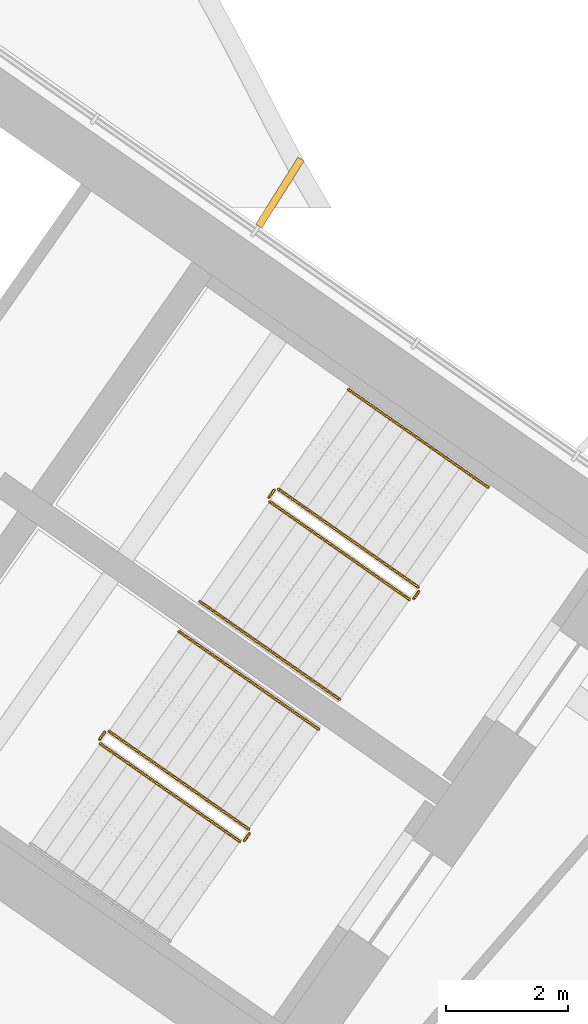
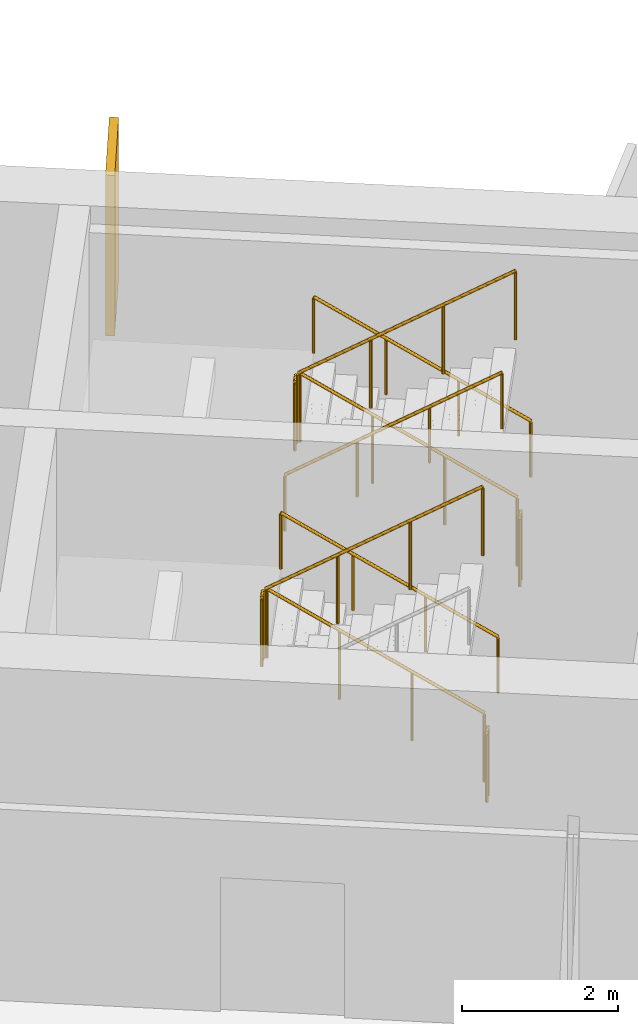
# One storey, part 22 of 23: 11 railings, 1 shading device.
"""IFC4 building model written with IfcOpenShell, lengths in metres."""

from ifc_helpers import new_model, si_unit, direction, frame, origin, origin_2d, place, context, subcontext, project, spatial, rectangle, circle, extrude, material, layer, layer_set, type_object, element, save


model = new_model("IFC4")

# Units and contexts
model_context = context("Model", 3, precision=1e-05, world=origin(), true_north=direction((0.0, 1.0)))
body_context = subcontext(model_context, "Body", "Model", "MODEL_VIEW")
ifc_project = project(units=[si_unit("LENGTHUNIT", "METRE"), si_unit("AREAUNIT", "SQUARE_METRE"), si_unit("VOLUMEUNIT", "CUBIC_METRE"), si_unit("PLANEANGLEUNIT", "RADIAN"), si_unit("MASSUNIT", "GRAM", prefix="KILO")], contexts=[model_context])

# Site, building, storey
site_placement = place(None, origin())
site = spatial("IfcSite", under=ifc_project, at=site_placement, CompositionType="ELEMENT")
building_placement = place(site_placement, origin())
building = spatial("IfcBuilding", under=site, at=building_placement, Name="Tel Ilan Convention Tower", CompositionType="ELEMENT")
storey_placement = place(building_placement, frame((0.0, 0.0, 171.0)))
storey = spatial("IfcBuildingStorey", under=building, at=storey_placement, Name="L39", CompositionType="ELEMENT", Elevation=171.0)

# Shading device
ifc_material_1 = material(Name="Aluminium, bronze anodised", Category="aluminium")
ifc_layer = layer(ifc_material_1, 0.1201171875)
ifc_layer_set = layer_set([ifc_layer], Name="FIN BRONZE 1300x120")
shading_device_type = type_object("IfcShadingDeviceType", Name="FIN BRONZE 1300x120", PredefinedType="USERDEFINED", material=ifc_layer_set)
shading_device_placement = place(storey_placement, frame((21.408935546875, -1.376953125, 1.10009765625), z_axis=(0.0, 0.0, 1.0), x_axis=(0.533204432798, 0.845986425922, 0.0)))
element("IfcShadingDevice", 1, at=shading_device_placement, inside=storey, type_object=shading_device_type, Name="FIN", ObjectType="FIN", PredefinedType="USERDEFINED", context=body_context, shape_type="SweptSolid", body=[
    extrude(rectangle(XDim=1.300048828125, YDim=0.1201171875, at=origin_2d()), origin(), (0.0, 0.0, 1.0), 2.52001953125),
])

# Railings
ifc_material_2 = material(Name="Stainless Steel Grade 316", Category="steel")
railing_type_1 = type_object("IfcRailingType", Name="Stainless Steel Stair Guard 1100 mm", PredefinedType="GUARDRAIL", material=ifc_material_2)
railing_1_placement = place(storey_placement, frame((23.6787109375, -7.8515625, 0.17724609375)))
element("IfcRailing", 2, at=railing_1_placement, inside=storey, type_object=railing_type_1, Name="L39 S3 stair guard 1", PredefinedType="GUARDRAIL", context=body_context, shape_type="SweptSolid", body=[
    extrude(circle(Radius=0.02392578125, at=origin_2d()), frame((0.0, 0.0, 1.076171875), z_axis=(-0.692084706163, 0.484621375041, 0.534940073605), x_axis=(-0.573591086599, -0.819141785879, 0.0)), (0.0, 0.0, 1.0), 3.313720703125),
    extrude(circle(Radius=0.02099609375, at=origin_2d()), origin(), (0.0, 0.0, 1.0), 1.052001953125),
    extrude(circle(Radius=0.02099609375, at=origin_2d()), frame((-0.764404296875, 0.535400390625, 0.5908203125)), (0.0, 0.0, 1.0), 1.052001953125),
    extrude(circle(Radius=0.02099609375, at=origin_2d()), frame((-1.529052734375, 1.070556640625, 1.181884765625)), (0.0, 0.0, 1.0), 1.052001953125),
    extrude(circle(Radius=0.02099609375, at=origin_2d()), frame((-2.29345703125, 1.60595703125, 1.772705078125)), (0.0, 0.0, 1.0), 1.052001953125),
])
railing_2_placement = place(storey_placement, frame((21.3154296875, -6.2578125, 1.949951171875)))
element("IfcRailing", 3, at=railing_2_placement, inside=storey, type_object=railing_type_1, Name="L39 S3 stair guard 2", PredefinedType="GUARDRAIL", context=body_context, shape_type="SweptSolid", body=[
    extrude(circle(Radius=0.02392578125, at=origin_2d()), frame((0.0, 0.0, 1.076171875), z_axis=(-0.573353020881, -0.819308436089, 0.0), x_axis=(0.819308436089, -0.573353020881, 0.0)), (0.0, 0.0, 1.0), 0.14990234375),
    extrude(circle(Radius=0.02099609375, at=origin_2d()), origin(), (0.0, 0.0, 1.0), 1.052001953125),
    extrude(circle(Radius=0.02099609375, at=origin_2d()), frame((-0.0859375, -0.122802734375, 0.0)), (0.0, 0.0, 1.0), 1.052001953125),
])
railing_3_placement = place(storey_placement, frame((21.24169921875, -6.4501953125, 2.127197265625)))
element("IfcRailing", 4, at=railing_3_placement, inside=storey, type_object=railing_type_1, Name="L39 S3 stair guard 3", PredefinedType="GUARDRAIL", context=body_context, shape_type="SweptSolid", body=[
    extrude(circle(Radius=0.02392578125, at=origin_2d()), frame((0.0, 0.0, 1.076171875), z_axis=(0.692098378994, -0.484653031975, 0.534893701956), x_axis=(0.573608623498, 0.819129505664, 0.0)), (0.0, 0.0, 1.0), 3.314208984375),
    extrude(circle(Radius=0.02099609375, at=origin_2d()), origin(), (0.0, 0.0, 1.0), 1.052001953125),
    extrude(circle(Radius=0.02099609375, at=origin_2d()), frame((0.7646484375, -0.535400390625, 0.5908203125)), (0.0, 0.0, 1.0), 1.052001953125),
    extrude(circle(Radius=0.02099609375, at=origin_2d()), frame((1.529052734375, -1.07080078125, 1.181884765625)), (0.0, 0.0, 1.0), 1.052001953125),
    extrude(circle(Radius=0.02099609375, at=origin_2d()), frame((2.293701171875, -1.606201171875, 1.772705078125)), (0.0, 0.0, 1.0), 1.052001953125),
])
railing_4_placement = place(storey_placement, frame((23.691162109375, -7.921142578125, 0.0)))
element("IfcRailing", 5, at=railing_4_placement, inside=storey, type_object=railing_type_1, Name="L39 S3 stair guard 4", PredefinedType="GUARDRAIL", context=body_context, shape_type="SweptSolid", body=[
    extrude(circle(Radius=0.02392578125, at=origin_2d()), frame((0.0, 0.0, 1.076171875), z_axis=(-0.574444878118, -0.818543268254, 0.0), x_axis=(0.818543268254, -0.574444878118, 0.0)), (0.0, 0.0, 1.0), 0.150146484375),
    extrude(circle(Radius=0.02099609375, at=origin_2d()), origin(), (0.0, 0.0, 1.0), 1.052001953125),
    extrude(circle(Radius=0.02099609375, at=origin_2d()), frame((-0.086181640625, -0.122802734375, 0.0)), (0.0, 0.0, 1.0), 1.052001953125),
])
railing_5_placement = place(storey_placement, frame((20.89697265625, -11.824462890625, 0.17724609375)))
element("IfcRailing", 6, at=railing_5_placement, inside=storey, type_object=railing_type_1, Name="L39 S4 stair guard 1", PredefinedType="GUARDRAIL", context=body_context, shape_type="SweptSolid", body=[
    extrude(circle(Radius=0.02392578125, at=origin_2d()), frame((0.0, 0.0, 1.076171875), z_axis=(-0.692123088272, 0.484596665743, 0.534912798717), x_axis=(-0.573550118428, -0.819170471667, 0.0)), (0.0, 0.0, 1.0), 3.31396484375),
    extrude(circle(Radius=0.02099609375, at=origin_2d()), origin(), (0.0, 0.0, 1.0), 1.052001953125),
    extrude(circle(Radius=0.02099609375, at=origin_2d()), frame((-0.7646484375, 0.535400390625, 0.5908203125)), (0.0, 0.0, 1.0), 1.052001953125),
    extrude(circle(Radius=0.02099609375, at=origin_2d()), frame((-1.529052734375, 1.070556640625, 1.181884765625)), (0.0, 0.0, 1.0), 1.052001953125),
    extrude(circle(Radius=0.02099609375, at=origin_2d()), frame((-2.293701171875, 1.60595703125, 1.772705078125)), (0.0, 0.0, 1.0), 1.052001953125),
])
railing_6_placement = place(storey_placement, frame((18.53369140625, -10.230712890625, 1.949951171875)))
element("IfcRailing", 7, at=railing_6_placement, inside=storey, type_object=railing_type_1, Name="L39 S4 stair guard 2", PredefinedType="GUARDRAIL", context=body_context, shape_type="SweptSolid", body=[
    extrude(circle(Radius=0.02392578125, at=origin_2d()), frame((0.0, 0.0, 1.076171875), z_axis=(-0.573353020881, -0.819308436089, 0.0), x_axis=(0.819308436089, -0.573353020881, 0.0)), (0.0, 0.0, 1.0), 0.14990234375),
    extrude(circle(Radius=0.02099609375, at=origin_2d()), origin(), (0.0, 0.0, 1.0), 1.052001953125),
    extrude(circle(Radius=0.02099609375, at=origin_2d()), frame((-0.0859375, -0.122802734375, 0.0)), (0.0, 0.0, 1.0), 1.052001953125),
])
railing_7_placement = place(storey_placement, frame((18.4599609375, -10.423095703125, 2.127197265625)))
element("IfcRailing", 8, at=railing_7_placement, inside=storey, type_object=railing_type_1, Name="L39 S4 stair guard 3", PredefinedType="GUARDRAIL", context=body_context, shape_type="SweptSolid", body=[
    extrude(circle(Radius=0.02392578125, at=origin_2d()), frame((0.0, 0.0, 1.076171875), z_axis=(0.692098378994, -0.484653031975, 0.534893701956), x_axis=(0.573608623498, 0.819129505664, 0.0)), (0.0, 0.0, 1.0), 3.314208984375),
    extrude(circle(Radius=0.02099609375, at=origin_2d()), origin(), (0.0, 0.0, 1.0), 1.052001953125),
    extrude(circle(Radius=0.02099609375, at=origin_2d()), frame((0.7646484375, -0.535400390625, 0.5908203125)), (0.0, 0.0, 1.0), 1.052001953125),
    extrude(circle(Radius=0.02099609375, at=origin_2d()), frame((1.529052734375, -1.07080078125, 1.181884765625)), (0.0, 0.0, 1.0), 1.052001953125),
    extrude(circle(Radius=0.02099609375, at=origin_2d()), frame((2.293701171875, -1.606201171875, 1.772705078125)), (0.0, 0.0, 1.0), 1.052001953125),
])
railing_8_placement = place(storey_placement, frame((20.9091796875, -11.89404296875, 0.0)))
element("IfcRailing", 9, at=railing_8_placement, inside=storey, type_object=railing_type_1, Name="L39 S4 stair guard 4", PredefinedType="GUARDRAIL", context=body_context, shape_type="SweptSolid", body=[
    extrude(circle(Radius=0.02392578125, at=origin_2d()), frame((0.0, 0.0, 1.076171875), z_axis=(-0.573353020881, -0.819308436089, 0.0), x_axis=(0.819308436089, -0.573353020881, 0.0)), (0.0, 0.0, 1.0), 0.14990234375),
    extrude(circle(Radius=0.02099609375, at=origin_2d()), origin(), (0.0, 0.0, 1.0), 1.052001953125),
    extrude(circle(Radius=0.02099609375, at=origin_2d()), frame((-0.0859375, -0.122802734375, 0.0)), (0.0, 0.0, 1.0), 1.052001953125),
])
ifc_material_3 = material(Name="Stainless Steel Grade 316", Category="steel")
railing_type_2 = type_object("IfcRailingType", Name="Stainless Steel Stair Handrail 900 mm", PredefinedType="HANDRAIL", material=ifc_material_3)
railing_9_placement = place(storey_placement, frame((24.825927734375, -6.213134765625, 0.17724609375)))
element("IfcRailing", 10, at=railing_9_placement, inside=storey, type_object=railing_type_2, Name="L39 S3 stair handrail 1", PredefinedType="HANDRAIL", context=body_context, shape_type="SweptSolid", body=[
    extrude(circle(Radius=0.02392578125, at=origin_2d()), frame((0.0, 0.0, 0.8759765625), z_axis=(-0.692123088272, 0.484596665743, 0.534912798717), x_axis=(-0.573550118428, -0.819170471667, 0.0)), (0.0, 0.0, 1.0), 3.31396484375),
    extrude(circle(Radius=0.02099609375, at=origin_2d()), origin(), (0.0, 0.0, 1.0), 0.851806640625),
    extrude(circle(Radius=0.02099609375, at=origin_2d()), frame((-0.7646484375, 0.535400390625, 0.5908203125)), (0.0, 0.0, 1.0), 0.851806640625),
    extrude(circle(Radius=0.02099609375, at=origin_2d()), frame((-1.529052734375, 1.070556640625, 1.181884765625)), (0.0, 0.0, 1.0), 0.851806640625),
    extrude(circle(Radius=0.02099609375, at=origin_2d()), frame((-2.293701171875, 1.60595703125, 1.772705078125)), (0.0, 0.0, 1.0), 0.851806640625),
])
railing_10_placement = place(storey_placement, frame((20.0947265625, -8.088623046875, 2.127197265625)))
element("IfcRailing", 11, at=railing_10_placement, inside=storey, type_object=railing_type_2, Name="L39 S3 stair handrail 2", PredefinedType="HANDRAIL", context=body_context, shape_type="SweptSolid", body=[
    extrude(circle(Radius=0.02392578125, at=origin_2d()), frame((0.0, 0.0, 0.8759765625), z_axis=(0.692084706163, -0.484621375041, 0.534940073605), x_axis=(0.573591086599, 0.819141785879, 0.0)), (0.0, 0.0, 1.0), 3.313720703125),
    extrude(circle(Radius=0.02099609375, at=origin_2d()), origin(), (0.0, 0.0, 1.0), 0.851806640625),
    extrude(circle(Radius=0.02099609375, at=origin_2d()), frame((0.764404296875, -0.535400390625, 0.5908203125)), (0.0, 0.0, 1.0), 0.851806640625),
    extrude(circle(Radius=0.02099609375, at=origin_2d()), frame((1.529052734375, -1.070556640625, 1.181884765625)), (0.0, 0.0, 1.0), 0.851806640625),
    extrude(circle(Radius=0.02099609375, at=origin_2d()), frame((2.29345703125, -1.60595703125, 1.772705078125)), (0.0, 0.0, 1.0), 0.851806640625),
])
railing_11_placement = place(storey_placement, frame((22.044189453125, -10.18603515625, 0.17724609375)))
element("IfcRailing", 12, at=railing_11_placement, inside=storey, type_object=railing_type_2, Name="L39 S4 stair handrail 1", PredefinedType="HANDRAIL", context=body_context, shape_type="SweptSolid", body=[
    extrude(circle(Radius=0.02392578125, at=origin_2d()), frame((0.0, 0.0, 0.8759765625), z_axis=(-0.692123088272, 0.484596665743, 0.534912798717), x_axis=(-0.573550118428, -0.819170471667, 0.0)), (0.0, 0.0, 1.0), 3.31396484375),
    extrude(circle(Radius=0.02099609375, at=origin_2d()), origin(), (0.0, 0.0, 1.0), 0.851806640625),
    extrude(circle(Radius=0.02099609375, at=origin_2d()), frame((-0.7646484375, 0.535400390625, 0.5908203125)), (0.0, 0.0, 1.0), 0.851806640625),
    extrude(circle(Radius=0.02099609375, at=origin_2d()), frame((-1.529052734375, 1.070556640625, 1.181884765625)), (0.0, 0.0, 1.0), 0.851806640625),
    extrude(circle(Radius=0.02099609375, at=origin_2d()), frame((-2.293701171875, 1.60595703125, 1.772705078125)), (0.0, 0.0, 1.0), 0.851806640625),
])

save(model, "model.ifc")
